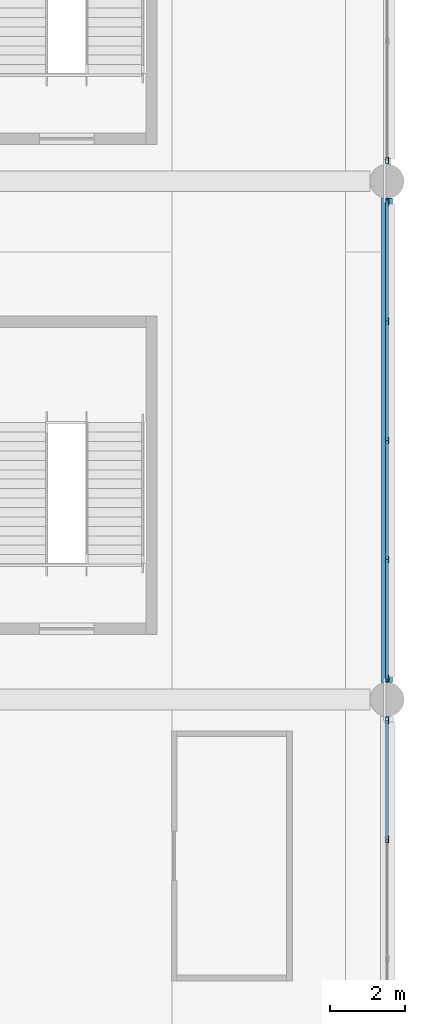
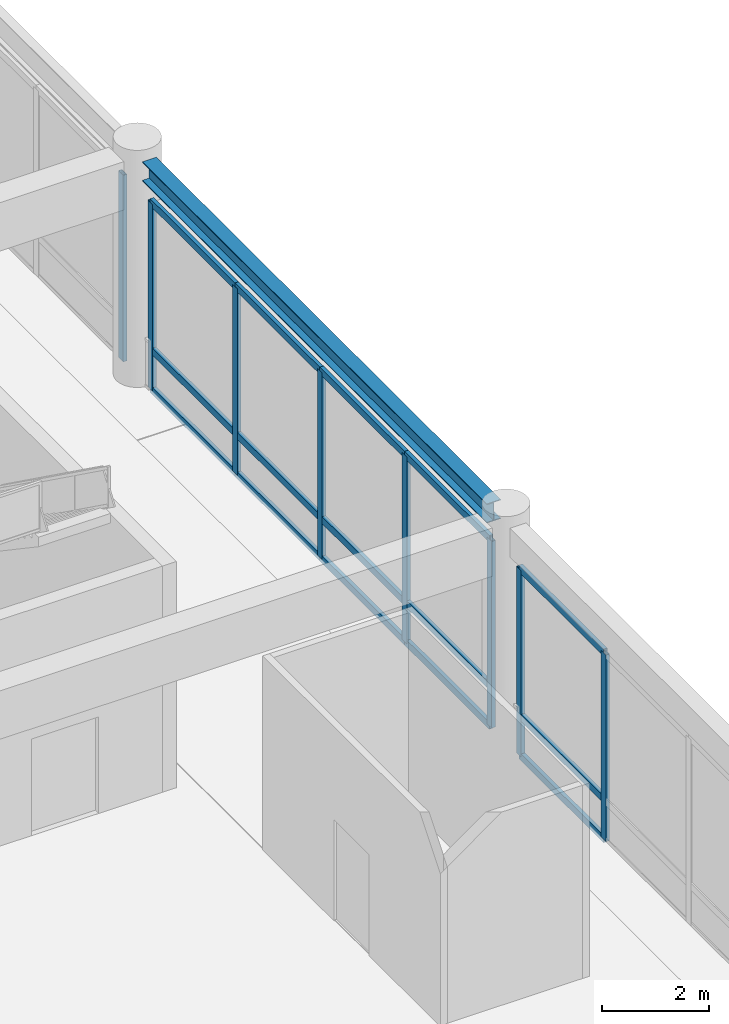
# One storey, part 58 of 117: 23 members, 1 beam, 3 elements without a shape of their own.
"""IFC4 building model written with IfcOpenShell, lengths in metres."""

from ifc_helpers import new_model, si_unit, direction, frame, origin, origin_2d, place, context, subcontext, project, spatial, hollow_rectangle, i_section, extrude, material, material_profile, profile_set, type_object, element, aggregate, save


model = new_model("IFC4")

# Units and contexts
model_context = context("Model", 3, precision=1e-05, world=origin(), true_north=direction((0.0, 1.0)))
body_context = subcontext(model_context, "Body", "Model", "MODEL_VIEW")
ifc_project = project(units=[si_unit("LENGTHUNIT", "METRE"), si_unit("AREAUNIT", "SQUARE_METRE"), si_unit("VOLUMEUNIT", "CUBIC_METRE"), si_unit("PLANEANGLEUNIT", "RADIAN"), si_unit("MASSUNIT", "GRAM", prefix="KILO")], contexts=[model_context])

# Site, building, storey
site_placement = place(None, origin())
site = spatial("IfcSite", under=ifc_project, at=site_placement, CompositionType="ELEMENT")
building_placement = place(site_placement, origin())
building = spatial("IfcBuilding", under=site, at=building_placement, Name="Linyun Crest Stadium", CompositionType="ELEMENT")
storey_placement = place(building_placement, frame((0.0, 0.0, 6.0)))
storey = spatial("IfcBuildingStorey", under=building, at=storey_placement, Name="L02", CompositionType="ELEMENT", Elevation=6.0)

# Beam
ifc_material_1 = material(Name="Steel Q355C", Category="steel")
ifc_material_profile_1 = material_profile(ifc_material_1, i_section(OverallWidth=0.300048828125, OverallDepth=0.43994140625, WebThickness=0.010986328125, FlangeThickness=0.01806640625, at=origin_2d()), Name="HM 440x300")
ifc_profile_set_1 = profile_set([ifc_material_profile_1], Name="Steel Q355C")
beam_type = type_object("IfcBeamType", Name="B07", PredefinedType="BEAM", material=ifc_profile_set_1)
beam_placement = place(storey_placement, frame((98.0, -24.925048828125, 4.929931640625), z_axis=(0.0, 1.0, 0.0), x_axis=(-1.0, 0.0, 0.0)))
element("IfcBeam", 1, at=beam_placement, inside=storey, type_object=beam_type, Name="Frame beam B07 L02 601", PredefinedType="BEAM", context=body_context, shape_type="SweptSolid", body=[
    extrude(i_section(OverallWidth=0.300048828125, OverallDepth=0.43994140625, WebThickness=0.010986328125, FlangeThickness=0.01806640625, at=origin_2d()), origin(), (0.0, 0.0, 1.0), 12.85009765625),
])

# Curtain wall, members
ifc_material_2 = material(Name="Verdigris steel and low-E curtain wall assembly", Category="steel")
curtain_wall_type = type_object("IfcCurtainWallType", Name="MCW01", PredefinedType="NOTDEFINED", material=ifc_material_2)
curtain_wall_1_placement = place(storey_placement, origin())
curtain_wall_1 = element("IfcCurtainWall", 2, at=curtain_wall_1_placement, inside=storey, type_object=curtain_wall_type, Name="CWR-078", PredefinedType="NOTDEFINED")
ifc_material_3 = material(Name="Verdigris painted steel Q355B mullion", Category="steel")
ifc_material_profile_2 = material_profile(ifc_material_3, hollow_rectangle(XDim=0.080078125, YDim=0.179931640625, WallThickness=0.006103515625, at=origin_2d()), Name="RHS 180x80x6")
ifc_profile_set_2 = profile_set([ifc_material_profile_2], Name="Verdigris painted steel Q355B mullion")
member_type_1 = type_object("IfcMemberType", Name="ML02", PredefinedType="MULLION", material=ifc_profile_set_2)
member_1_placement = place(storey_placement, frame((98.0, -29.087890625, 0.0), z_axis=(0.0, 0.0, 1.0), x_axis=(-1.0, 0.0, 0.0)))
member_1 = element("IfcMember", 3, at=member_1_placement, type_object=member_type_1, Name="CWR-078 mullion 4", PredefinedType="MULLION", context=body_context, shape_type="SweptSolid", body=[
    extrude(hollow_rectangle(XDim=0.080078125, YDim=0.179931640625, WallThickness=0.006103515625, at=origin_2d()), origin(), (0.0, 0.0, 1.0), 4.25),
])
member_2_placement = place(storey_placement, frame((98.0, -25.925048828125, 0.0), z_axis=(0.0, 0.0, 1.0), x_axis=(-1.0, 0.0, 0.0)))
member_2 = element("IfcMember", 4, at=member_2_placement, type_object=member_type_1, Name="CWR-078 mullion 5", PredefinedType="MULLION", context=body_context, shape_type="SweptSolid", body=[
    extrude(hollow_rectangle(XDim=0.080078125, YDim=0.179931640625, WallThickness=0.006103515625, at=origin_2d()), origin(), (0.0, 0.0, 1.0), 4.25),
])

curtain_wall_2_placement = place(storey_placement, origin())
curtain_wall_2 = element("IfcCurtainWall", 5, at=curtain_wall_2_placement, inside=storey, type_object=curtain_wall_type, Name="CWR-087", PredefinedType="NOTDEFINED")
member_3_placement = place(storey_placement, frame((98.0, -24.824951171875, 0.0), z_axis=(0.0, 0.0, 1.0), x_axis=(-1.0, 0.0, 0.0)))
member_3 = element("IfcMember", 6, at=member_3_placement, type_object=member_type_1, Name="CWR-087 mullion 1", PredefinedType="MULLION", context=body_context, shape_type="SweptSolid", body=[
    extrude(hollow_rectangle(XDim=0.080078125, YDim=0.179931640625, WallThickness=0.006103515625, at=origin_2d()), origin(), (0.0, 0.0, 1.0), 4.25),
])
member_4_placement = place(storey_placement, frame((98.0, -21.662109375, 0.0), z_axis=(0.0, 0.0, 1.0), x_axis=(-1.0, 0.0, 0.0)))
member_4 = element("IfcMember", 7, at=member_4_placement, type_object=member_type_1, Name="CWR-087 mullion 2", PredefinedType="MULLION", context=body_context, shape_type="SweptSolid", body=[
    extrude(hollow_rectangle(XDim=0.080078125, YDim=0.179931640625, WallThickness=0.006103515625, at=origin_2d()), origin(), (0.0, 0.0, 1.0), 4.25),
])
member_5_placement = place(storey_placement, frame((98.0, -18.5, 0.0), z_axis=(0.0, 0.0, 1.0), x_axis=(-1.0, 0.0, 0.0)))
member_5 = element("IfcMember", 8, at=member_5_placement, type_object=member_type_1, Name="CWR-087 mullion 3", PredefinedType="MULLION", context=body_context, shape_type="SweptSolid", body=[
    extrude(hollow_rectangle(XDim=0.080078125, YDim=0.179931640625, WallThickness=0.006103515625, at=origin_2d()), origin(), (0.0, 0.0, 1.0), 4.25),
])
member_6_placement = place(storey_placement, frame((98.0, -15.337890625, 0.0), z_axis=(0.0, 0.0, 1.0), x_axis=(-1.0, 0.0, 0.0)))
member_6 = element("IfcMember", 9, at=member_6_placement, type_object=member_type_1, Name="CWR-087 mullion 4", PredefinedType="MULLION", context=body_context, shape_type="SweptSolid", body=[
    extrude(hollow_rectangle(XDim=0.080078125, YDim=0.179931640625, WallThickness=0.006103515625, at=origin_2d()), origin(), (0.0, 0.0, 1.0), 4.25),
])
member_7_placement = place(storey_placement, frame((98.0, -12.175048828125, 0.0), z_axis=(0.0, 0.0, 1.0), x_axis=(-1.0, 0.0, 0.0)))
member_7 = element("IfcMember", 10, at=member_7_placement, type_object=member_type_1, Name="CWR-087 mullion 5", PredefinedType="MULLION", context=body_context, shape_type="SweptSolid", body=[
    extrude(hollow_rectangle(XDim=0.080078125, YDim=0.179931640625, WallThickness=0.006103515625, at=origin_2d()), origin(), (0.0, 0.0, 1.0), 4.25),
])

# Curtain wall, member
curtain_wall_3_placement = place(storey_placement, origin())
curtain_wall_3 = element("IfcCurtainWall", 11, at=curtain_wall_3_placement, inside=storey, type_object=curtain_wall_type, Name="CWR-096", PredefinedType="NOTDEFINED")
member_8_placement = place(storey_placement, frame((98.0, -11.074951171875, 0.0), z_axis=(0.0, 0.0, 1.0), x_axis=(-1.0, 0.0, 0.0)))
member_8 = element("IfcMember", 12, at=member_8_placement, type_object=member_type_1, Name="CWR-096 mullion 1", PredefinedType="MULLION", context=body_context, shape_type="SweptSolid", body=[
    extrude(hollow_rectangle(XDim=0.080078125, YDim=0.179931640625, WallThickness=0.006103515625, at=origin_2d()), origin(), (0.0, 0.0, 1.0), 4.25),
])
aggregate(curtain_wall_3, [member_8])

# Member
ifc_material_4 = material(Name="Aluminium thermally broken transom", Category="aluminium")
ifc_material_profile_3 = material_profile(ifc_material_4, hollow_rectangle(XDim=0.080078125, YDim=0.159912109375, WallThickness=0.006103515625, at=origin_2d()), Name="RHS 160x80x6")
ifc_profile_set_3 = profile_set([ifc_material_profile_3], Name="Aluminium thermally broken transom")
member_type_2 = type_object("IfcMemberType", Name="TR01", PredefinedType="USERDEFINED", material=ifc_profile_set_3)
member_9_placement = place(storey_placement, frame((98.0, -29.087890625, 0.0), z_axis=(0.0, 1.0, 0.0), x_axis=(-1.0, 0.0, 0.0)))
member_9 = element("IfcMember", 13, at=member_9_placement, type_object=member_type_2, Name="CWR-078 transom 4.1", ObjectType="TRANSOM", PredefinedType="USERDEFINED", context=body_context, shape_type="SweptSolid", body=[
    extrude(hollow_rectangle(XDim=0.080078125, YDim=0.159912109375, WallThickness=0.006103515625, at=origin_2d()), origin(), (0.0, 0.0, 1.0), 3.162841796875),
])

member_10_placement = place(storey_placement, frame((98.0, -29.087890625, 0.89990234375), z_axis=(0.0, 1.0, 0.0), x_axis=(-1.0, 0.0, 0.0)))
member_10 = element("IfcMember", 14, at=member_10_placement, type_object=member_type_2, Name="CWR-078 transom 4.2", ObjectType="TRANSOM", PredefinedType="USERDEFINED", context=body_context, shape_type="SweptSolid", body=[
    extrude(hollow_rectangle(XDim=0.080078125, YDim=0.159912109375, WallThickness=0.006103515625, at=origin_2d()), origin(), (0.0, 0.0, 1.0), 3.162841796875),
])

member_11_placement = place(storey_placement, frame((98.0, -29.087890625, 4.25), z_axis=(0.0, 1.0, 0.0), x_axis=(-1.0, 0.0, 0.0)))
member_11 = element("IfcMember", 15, at=member_11_placement, type_object=member_type_2, Name="CWR-078 transom 4.3", ObjectType="TRANSOM", PredefinedType="USERDEFINED", context=body_context, shape_type="SweptSolid", body=[
    extrude(hollow_rectangle(XDim=0.080078125, YDim=0.159912109375, WallThickness=0.006103515625, at=origin_2d()), origin(), (0.0, 0.0, 1.0), 3.162841796875),
])

aggregate(curtain_wall_1, [member_1, member_2, member_9, member_10, member_11])

member_12_placement = place(storey_placement, frame((98.0, -24.824951171875, 0.0), z_axis=(0.0, 1.0, 0.0), x_axis=(-1.0, 0.0, 0.0)))
member_12 = element("IfcMember", 16, at=member_12_placement, type_object=member_type_2, Name="CWR-087 transom 1.1", ObjectType="TRANSOM", PredefinedType="USERDEFINED", context=body_context, shape_type="SweptSolid", body=[
    extrude(hollow_rectangle(XDim=0.080078125, YDim=0.159912109375, WallThickness=0.006103515625, at=origin_2d()), origin(), (0.0, 0.0, 1.0), 3.162841796875),
])

member_13_placement = place(storey_placement, frame((98.0, -24.824951171875, 0.89990234375), z_axis=(0.0, 1.0, 0.0), x_axis=(-1.0, 0.0, 0.0)))
member_13 = element("IfcMember", 17, at=member_13_placement, type_object=member_type_2, Name="CWR-087 transom 1.2", ObjectType="TRANSOM", PredefinedType="USERDEFINED", context=body_context, shape_type="SweptSolid", body=[
    extrude(hollow_rectangle(XDim=0.080078125, YDim=0.159912109375, WallThickness=0.006103515625, at=origin_2d()), origin(), (0.0, 0.0, 1.0), 3.162841796875),
])

member_14_placement = place(storey_placement, frame((98.0, -24.824951171875, 4.25), z_axis=(0.0, 1.0, 0.0), x_axis=(-1.0, 0.0, 0.0)))
member_14 = element("IfcMember", 18, at=member_14_placement, type_object=member_type_2, Name="CWR-087 transom 1.3", ObjectType="TRANSOM", PredefinedType="USERDEFINED", context=body_context, shape_type="SweptSolid", body=[
    extrude(hollow_rectangle(XDim=0.080078125, YDim=0.159912109375, WallThickness=0.006103515625, at=origin_2d()), origin(), (0.0, 0.0, 1.0), 3.162841796875),
])

member_15_placement = place(storey_placement, frame((98.0, -21.662109375, 0.0), z_axis=(0.0, 1.0, 0.0), x_axis=(-1.0, 0.0, 0.0)))
member_15 = element("IfcMember", 19, at=member_15_placement, type_object=member_type_2, Name="CWR-087 transom 2.1", ObjectType="TRANSOM", PredefinedType="USERDEFINED", context=body_context, shape_type="SweptSolid", body=[
    extrude(hollow_rectangle(XDim=0.080078125, YDim=0.159912109375, WallThickness=0.006103515625, at=origin_2d()), origin(), (0.0, 0.0, 1.0), 3.162109375),
])

member_16_placement = place(storey_placement, frame((98.0, -21.662109375, 0.89990234375), z_axis=(0.0, 1.0, 0.0), x_axis=(-1.0, 0.0, 0.0)))
member_16 = element("IfcMember", 20, at=member_16_placement, type_object=member_type_2, Name="CWR-087 transom 2.2", ObjectType="TRANSOM", PredefinedType="USERDEFINED", context=body_context, shape_type="SweptSolid", body=[
    extrude(hollow_rectangle(XDim=0.080078125, YDim=0.159912109375, WallThickness=0.006103515625, at=origin_2d()), origin(), (0.0, 0.0, 1.0), 3.162109375),
])

member_17_placement = place(storey_placement, frame((98.0, -21.662109375, 4.25), z_axis=(0.0, 1.0, 0.0), x_axis=(-1.0, 0.0, 0.0)))
member_17 = element("IfcMember", 21, at=member_17_placement, type_object=member_type_2, Name="CWR-087 transom 2.3", ObjectType="TRANSOM", PredefinedType="USERDEFINED", context=body_context, shape_type="SweptSolid", body=[
    extrude(hollow_rectangle(XDim=0.080078125, YDim=0.159912109375, WallThickness=0.006103515625, at=origin_2d()), origin(), (0.0, 0.0, 1.0), 3.162109375),
])

member_18_placement = place(storey_placement, frame((98.0, -18.5, 0.0), z_axis=(0.0, 1.0, 0.0), x_axis=(-1.0, 0.0, 0.0)))
member_18 = element("IfcMember", 22, at=member_18_placement, type_object=member_type_2, Name="CWR-087 transom 3.1", ObjectType="TRANSOM", PredefinedType="USERDEFINED", context=body_context, shape_type="SweptSolid", body=[
    extrude(hollow_rectangle(XDim=0.080078125, YDim=0.159912109375, WallThickness=0.006103515625, at=origin_2d()), origin(), (0.0, 0.0, 1.0), 3.162109375),
])

member_19_placement = place(storey_placement, frame((98.0, -18.5, 0.89990234375), z_axis=(0.0, 1.0, 0.0), x_axis=(-1.0, 0.0, 0.0)))
member_19 = element("IfcMember", 23, at=member_19_placement, type_object=member_type_2, Name="CWR-087 transom 3.2", ObjectType="TRANSOM", PredefinedType="USERDEFINED", context=body_context, shape_type="SweptSolid", body=[
    extrude(hollow_rectangle(XDim=0.080078125, YDim=0.159912109375, WallThickness=0.006103515625, at=origin_2d()), origin(), (0.0, 0.0, 1.0), 3.162109375),
])

member_20_placement = place(storey_placement, frame((98.0, -18.5, 4.25), z_axis=(0.0, 1.0, 0.0), x_axis=(-1.0, 0.0, 0.0)))
member_20 = element("IfcMember", 24, at=member_20_placement, type_object=member_type_2, Name="CWR-087 transom 3.3", ObjectType="TRANSOM", PredefinedType="USERDEFINED", context=body_context, shape_type="SweptSolid", body=[
    extrude(hollow_rectangle(XDim=0.080078125, YDim=0.159912109375, WallThickness=0.006103515625, at=origin_2d()), origin(), (0.0, 0.0, 1.0), 3.162109375),
])

member_21_placement = place(storey_placement, frame((98.0, -15.337890625, 0.0), z_axis=(0.0, 1.0, 0.0), x_axis=(-1.0, 0.0, 0.0)))
member_21 = element("IfcMember", 25, at=member_21_placement, type_object=member_type_2, Name="CWR-087 transom 4.1", ObjectType="TRANSOM", PredefinedType="USERDEFINED", context=body_context, shape_type="SweptSolid", body=[
    extrude(hollow_rectangle(XDim=0.080078125, YDim=0.159912109375, WallThickness=0.006103515625, at=origin_2d()), origin(), (0.0, 0.0, 1.0), 3.162841796875),
])

member_22_placement = place(storey_placement, frame((98.0, -15.337890625, 0.89990234375), z_axis=(0.0, 1.0, 0.0), x_axis=(-1.0, 0.0, 0.0)))
member_22 = element("IfcMember", 26, at=member_22_placement, type_object=member_type_2, Name="CWR-087 transom 4.2", ObjectType="TRANSOM", PredefinedType="USERDEFINED", context=body_context, shape_type="SweptSolid", body=[
    extrude(hollow_rectangle(XDim=0.080078125, YDim=0.159912109375, WallThickness=0.006103515625, at=origin_2d()), origin(), (0.0, 0.0, 1.0), 3.162841796875),
])

member_23_placement = place(storey_placement, frame((98.0, -15.337890625, 4.25), z_axis=(0.0, 1.0, 0.0), x_axis=(-1.0, 0.0, 0.0)))
member_23 = element("IfcMember", 27, at=member_23_placement, type_object=member_type_2, Name="CWR-087 transom 4.3", ObjectType="TRANSOM", PredefinedType="USERDEFINED", context=body_context, shape_type="SweptSolid", body=[
    extrude(hollow_rectangle(XDim=0.080078125, YDim=0.159912109375, WallThickness=0.006103515625, at=origin_2d()), origin(), (0.0, 0.0, 1.0), 3.162841796875),
])

aggregate(curtain_wall_2, [member_3, member_4, member_5, member_6, member_7, member_12, member_13, member_14, member_15, member_16, member_17, member_18, member_19, member_20, member_21, member_22, member_23])

save(model, "model.ifc")
